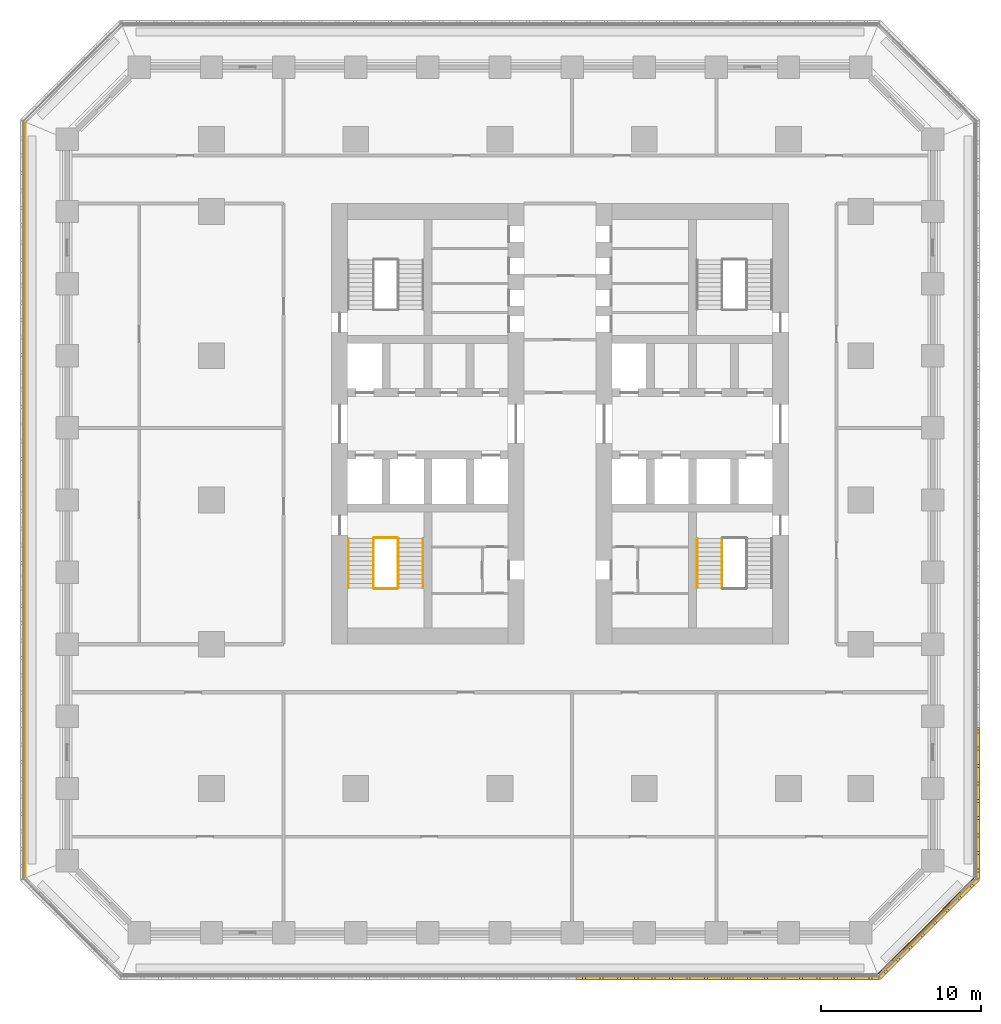
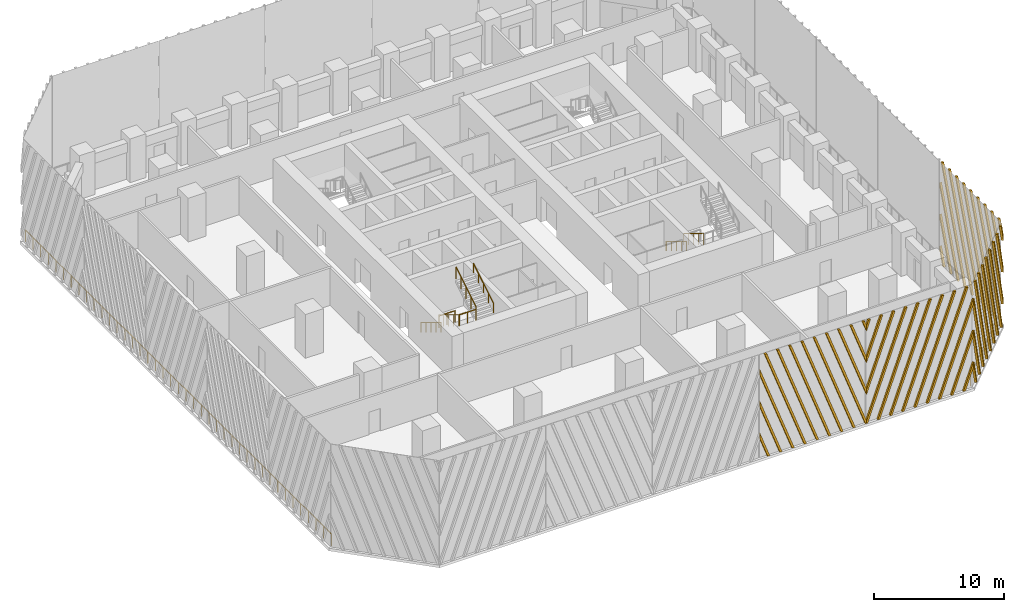
# One storey, part 8 of 12: 10 railings, 4 shading devices.
"""IFC4 building model written with IfcOpenShell, lengths in metres."""

from ifc_helpers import new_model, si_unit, direction, frame, origin, origin_2d, place, context, subcontext, project, spatial, polyline, circle, outline, extrude, source, transform, mapped, material, type_object, element, save


model = new_model("IFC4")

# Units and contexts
model_context = context("Model", 3, precision=1e-05, world=origin(), true_north=direction((0.0, 1.0)))
body_context = subcontext(model_context, "Body", "Model", "MODEL_VIEW")
ifc_project = project(units=[si_unit("LENGTHUNIT", "METRE"), si_unit("AREAUNIT", "SQUARE_METRE"), si_unit("VOLUMEUNIT", "CUBIC_METRE"), si_unit("PLANEANGLEUNIT", "RADIAN"), si_unit("MASSUNIT", "GRAM", prefix="KILO")], contexts=[model_context])

# Site, building, storey
site_placement = place(None, origin())
site = spatial("IfcSite", under=ifc_project, at=site_placement, CompositionType="ELEMENT")
building_placement = place(site_placement, origin())
building = spatial("IfcBuilding", under=site, at=building_placement, Name="Corbel Stack Research Tower", CompositionType="ELEMENT")
storey_placement = place(building_placement, frame((0.0, 0.0, 31.800048828125)))
storey = spatial("IfcBuildingStorey", under=building, at=storey_placement, Name="L07", CompositionType="ELEMENT", Elevation=31.800048828125)

# Railings
ifc_material_1 = material(Name="Steel S355", Category="steel")
railing_type_1 = type_object("IfcRailingType", Name="Stair guard 1100", PredefinedType="GUARDRAIL", material=ifc_material_1)
railing_1_placement = place(storey_placement, frame((-7.89990234375, -2.39990234375, 0.1708984375)))
element("IfcRailing", 1, at=railing_1_placement, inside=storey, type_object=railing_type_1, Name="L07 ST-W1 stair guard 1", PredefinedType="GUARDRAIL", context=body_context, shape_type="SweptSolid", body=[
    extrude(circle(Radius=0.02392578125, at=origin_2d()), frame((0.0, 0.0, 1.076171875), z_axis=(0.0, -0.853666305674, 0.52082035152), x_axis=(1.0, 0.0, 0.0)), (0.0, 0.0, 1.0), 3.608154296875),
    extrude(circle(Radius=0.02099609375, at=origin_2d()), origin(), (0.0, 0.0, 1.0), 1.052001953125),
    extrude(circle(Radius=0.02099609375, at=origin_2d()), frame((0.0, -0.77001953125, 0.4697265625)), (0.0, 0.0, 1.0), 1.052001953125),
    extrude(circle(Radius=0.02099609375, at=origin_2d()), frame((0.0, -1.5400390625, 0.939453125)), (0.0, 0.0, 1.0), 1.052001953125),
    extrude(circle(Radius=0.02099609375, at=origin_2d()), frame((0.0, -2.31005859375, 1.409423828125)), (0.0, 0.0, 1.0), 1.052001953125),
    extrude(circle(Radius=0.02099609375, at=origin_2d()), frame((0.0, -3.080078125, 1.879150390625)), (0.0, 0.0, 1.0), 1.052001953125),
])
railing_2_placement = place(storey_placement, frame((-7.85009765625, -5.530029296875, 2.050048828125)))
element("IfcRailing", 2, at=railing_2_placement, inside=storey, type_object=railing_type_1, Name="L07 ST-W1 stair guard 2", PredefinedType="GUARDRAIL", context=body_context, shape_type="SweptSolid", body=[
    extrude(circle(Radius=0.02392578125, at=origin_2d()), frame((0.0, 0.0, 1.076171875), z_axis=(1.0, 0.0, 0.0), x_axis=(0.0, 1.0, 0.0)), (0.0, 0.0, 1.0), 1.4501953125),
    extrude(circle(Radius=0.02099609375, at=origin_2d()), origin(), (0.0, 0.0, 1.0), 1.052001953125),
    extrude(circle(Radius=0.02099609375, at=origin_2d()), frame((0.72509765625, 0.0, 0.0)), (0.0, 0.0, 1.0), 1.052001953125),
    extrude(circle(Radius=0.02099609375, at=origin_2d()), frame((1.4501953125, 0.0, 0.0)), (0.0, 0.0, 1.0), 1.052001953125),
])
railing_3_placement = place(storey_placement, frame((-6.35009765625, -5.47998046875, 2.220703125)))
element("IfcRailing", 3, at=railing_3_placement, inside=storey, type_object=railing_type_1, Name="L07 ST-W1 stair guard 3", PredefinedType="GUARDRAIL", context=body_context, shape_type="SweptSolid", body=[
    extrude(circle(Radius=0.02392578125, at=origin_2d()), frame((0.0, 0.0, 1.076171875), z_axis=(0.0, 0.853666305674, 0.52082035152), x_axis=(-1.0, 0.0, 0.0)), (0.0, 0.0, 1.0), 3.608154296875),
    extrude(circle(Radius=0.02099609375, at=origin_2d()), origin(), (0.0, 0.0, 1.0), 1.052001953125),
    extrude(circle(Radius=0.02099609375, at=origin_2d()), frame((0.0, 0.77001953125, 0.4697265625)), (0.0, 0.0, 1.0), 1.052001953125),
    extrude(circle(Radius=0.02099609375, at=origin_2d()), frame((0.0, 1.5400390625, 0.939453125)), (0.0, 0.0, 1.0), 1.052001953125),
    extrude(circle(Radius=0.02099609375, at=origin_2d()), frame((0.0, 2.31005859375, 1.409423828125)), (0.0, 0.0, 1.0), 1.052001953125),
    extrude(circle(Radius=0.02099609375, at=origin_2d()), frame((0.0, 3.080078125, 1.879150390625)), (0.0, 0.0, 1.0), 1.052001953125),
])
railing_4_placement = place(storey_placement, frame((-7.85009765625, -2.35009765625, 0.0)))
element("IfcRailing", 4, at=railing_4_placement, inside=storey, type_object=railing_type_1, Name="L07 ST-W1 stair guard 4", PredefinedType="GUARDRAIL", context=body_context, shape_type="SweptSolid", body=[
    extrude(circle(Radius=0.02392578125, at=origin_2d()), frame((0.0, 0.0, 1.076171875), z_axis=(1.0, 0.0, 0.0), x_axis=(0.0, 1.0, 0.0)), (0.0, 0.0, 1.0), 1.4501953125),
    extrude(circle(Radius=0.02099609375, at=origin_2d()), origin(), (0.0, 0.0, 1.0), 1.052001953125),
    extrude(circle(Radius=0.02099609375, at=origin_2d()), frame((0.72509765625, 0.0, 0.0)), (0.0, 0.0, 1.0), 1.052001953125),
    extrude(circle(Radius=0.02099609375, at=origin_2d()), frame((1.4501953125, 0.0, 0.0)), (0.0, 0.0, 1.0), 1.052001953125),
])
railing_5_placement = place(storey_placement, frame((13.85009765625, -2.39990234375, 0.1708984375)))
element("IfcRailing", 5, at=railing_5_placement, inside=storey, type_object=railing_type_1, Name="L07 ST-E1 stair guard 1", PredefinedType="GUARDRAIL", context=body_context, shape_type="SweptSolid", body=[
    extrude(circle(Radius=0.02392578125, at=origin_2d()), frame((0.0, 0.0, 1.076171875), z_axis=(0.0, -0.853666305674, 0.52082035152), x_axis=(1.0, 0.0, 0.0)), (0.0, 0.0, 1.0), 3.608154296875),
    extrude(circle(Radius=0.02099609375, at=origin_2d()), origin(), (0.0, 0.0, 1.0), 1.052001953125),
    extrude(circle(Radius=0.02099609375, at=origin_2d()), frame((0.0, -0.77001953125, 0.4697265625)), (0.0, 0.0, 1.0), 1.052001953125),
    extrude(circle(Radius=0.02099609375, at=origin_2d()), frame((0.0, -1.5400390625, 0.939453125)), (0.0, 0.0, 1.0), 1.052001953125),
    extrude(circle(Radius=0.02099609375, at=origin_2d()), frame((0.0, -2.31005859375, 1.409423828125)), (0.0, 0.0, 1.0), 1.052001953125),
    extrude(circle(Radius=0.02099609375, at=origin_2d()), frame((0.0, -3.080078125, 1.879150390625)), (0.0, 0.0, 1.0), 1.052001953125),
])
ifc_material_2 = material(Name="Steel S355", Category="steel")
railing_type_2 = type_object("IfcRailingType", Name="Stair handrail 900", PredefinedType="HANDRAIL", material=ifc_material_2)
railing_6_placement = place(storey_placement, frame((-9.449951171875, -2.39990234375, 0.1708984375)))
element("IfcRailing", 6, at=railing_6_placement, inside=storey, type_object=railing_type_2, Name="L07 ST-W1 stair handrail 1", PredefinedType="HANDRAIL", context=body_context, shape_type="SweptSolid", body=[
    extrude(circle(Radius=0.02392578125, at=origin_2d()), frame((0.0, 0.0, 0.8759765625), z_axis=(0.0, -0.853666305674, 0.52082035152), x_axis=(1.0, 0.0, 0.0)), (0.0, 0.0, 1.0), 3.608154296875),
    extrude(circle(Radius=0.02099609375, at=origin_2d()), origin(), (0.0, 0.0, 1.0), 0.851806640625),
    extrude(circle(Radius=0.02099609375, at=origin_2d()), frame((0.0, -0.77001953125, 0.4697265625)), (0.0, 0.0, 1.0), 0.851806640625),
    extrude(circle(Radius=0.02099609375, at=origin_2d()), frame((0.0, -1.5400390625, 0.939453125)), (0.0, 0.0, 1.0), 0.851806640625),
    extrude(circle(Radius=0.02099609375, at=origin_2d()), frame((0.0, -2.31005859375, 1.409423828125)), (0.0, 0.0, 1.0), 0.851806640625),
    extrude(circle(Radius=0.02099609375, at=origin_2d()), frame((0.0, -3.080078125, 1.879150390625)), (0.0, 0.0, 1.0), 0.851806640625),
])
railing_7_placement = place(storey_placement, frame((-4.800048828125, -5.47998046875, 2.220703125)))
element("IfcRailing", 7, at=railing_7_placement, inside=storey, type_object=railing_type_2, Name="L07 ST-W1 stair handrail 2", PredefinedType="HANDRAIL", context=body_context, shape_type="SweptSolid", body=[
    extrude(circle(Radius=0.02392578125, at=origin_2d()), frame((0.0, 0.0, 0.8759765625), z_axis=(0.0, 0.853666305674, 0.52082035152), x_axis=(-1.0, 0.0, 0.0)), (0.0, 0.0, 1.0), 3.608154296875),
    extrude(circle(Radius=0.02099609375, at=origin_2d()), origin(), (0.0, 0.0, 1.0), 0.851806640625),
    extrude(circle(Radius=0.02099609375, at=origin_2d()), frame((0.0, 0.77001953125, 0.4697265625)), (0.0, 0.0, 1.0), 0.851806640625),
    extrude(circle(Radius=0.02099609375, at=origin_2d()), frame((0.0, 1.5400390625, 0.939453125)), (0.0, 0.0, 1.0), 0.851806640625),
    extrude(circle(Radius=0.02099609375, at=origin_2d()), frame((0.0, 2.31005859375, 1.409423828125)), (0.0, 0.0, 1.0), 0.851806640625),
    extrude(circle(Radius=0.02099609375, at=origin_2d()), frame((0.0, 3.080078125, 1.879150390625)), (0.0, 0.0, 1.0), 0.851806640625),
])
railing_8_placement = place(storey_placement, frame((12.300048828125, -2.39990234375, 0.1708984375)))
element("IfcRailing", 8, at=railing_8_placement, inside=storey, type_object=railing_type_2, Name="L07 ST-E1 stair handrail 1", PredefinedType="HANDRAIL", context=body_context, shape_type="SweptSolid", body=[
    extrude(circle(Radius=0.02392578125, at=origin_2d()), frame((0.0, 0.0, 0.8759765625), z_axis=(0.0, -0.853666305674, 0.52082035152), x_axis=(1.0, 0.0, 0.0)), (0.0, 0.0, 1.0), 3.608154296875),
    extrude(circle(Radius=0.02099609375, at=origin_2d()), origin(), (0.0, 0.0, 1.0), 0.851806640625),
    extrude(circle(Radius=0.02099609375, at=origin_2d()), frame((0.0, -0.77001953125, 0.4697265625)), (0.0, 0.0, 1.0), 0.851806640625),
    extrude(circle(Radius=0.02099609375, at=origin_2d()), frame((0.0, -1.5400390625, 0.939453125)), (0.0, 0.0, 1.0), 0.851806640625),
    extrude(circle(Radius=0.02099609375, at=origin_2d()), frame((0.0, -2.31005859375, 1.409423828125)), (0.0, 0.0, 1.0), 0.851806640625),
    extrude(circle(Radius=0.02099609375, at=origin_2d()), frame((0.0, -3.080078125, 1.879150390625)), (0.0, 0.0, 1.0), 0.851806640625),
])
ifc_material_3 = material(Name="Powder-coated steel guard", Category="steel")
railing_type_3 = type_object("IfcRailingType", Name="Steel and glass guard 1100", PredefinedType="GUARDRAIL", material=ifc_material_3)
railing_9_placement = place(storey_placement, frame((23.627685546875, -29.54931640625, 0.0)))
element("IfcRailing", 9, at=railing_9_placement, inside=storey, type_object=railing_type_3, Name="Loggia guard L07 SE", PredefinedType="GUARDRAIL", context=body_context, shape_type="SweptSolid", body=[
    extrude(circle(Radius=0.02392578125, at=origin_2d()), frame((0.0, 0.0, 1.076171875), z_axis=(0.707106781187, 0.707106781187, 0.0), x_axis=(-0.707106781187, 0.707106781187, 0.0)), (0.0, 0.0, 1.0), 8.37451171875),
    extrude(circle(Radius=0.02099609375, at=origin_2d()), origin(), (0.0, 0.0, 1.0), 1.052001953125),
    extrude(circle(Radius=0.02099609375, at=origin_2d()), frame((0.845947265625, 0.845947265625, 0.0)), (0.0, 0.0, 1.0), 1.052001953125),
    extrude(circle(Radius=0.02099609375, at=origin_2d()), frame((1.69189453125, 1.69189453125, 0.0)), (0.0, 0.0, 1.0), 1.052001953125),
    extrude(circle(Radius=0.02099609375, at=origin_2d()), frame((2.537841796875, 2.537841796875, 0.0)), (0.0, 0.0, 1.0), 1.052001953125),
    extrude(circle(Radius=0.02099609375, at=origin_2d()), frame((3.3837890625, 3.3837890625, 0.0)), (0.0, 0.0, 1.0), 1.052001953125),
    extrude(circle(Radius=0.02099609375, at=origin_2d()), frame((4.229736328125, 4.229736328125, 0.0)), (0.0, 0.0, 1.0), 1.052001953125),
    extrude(circle(Radius=0.02099609375, at=origin_2d()), frame((5.07568359375, 5.07568359375, 0.0)), (0.0, 0.0, 1.0), 1.052001953125),
    extrude(circle(Radius=0.02099609375, at=origin_2d()), frame((5.921630859375, 5.921630859375, 0.0)), (0.0, 0.0, 1.0), 1.052001953125),
])
railing_10_placement = place(storey_placement, frame((-29.60009765625, 23.50537109375, 0.0)))
element("IfcRailing", 10, at=railing_10_placement, inside=storey, type_object=railing_type_3, Name="Loggia guard L07 W", PredefinedType="GUARDRAIL", context=body_context, shape_type="SweptSolid", body=[
    extrude(circle(Radius=0.02392578125, at=origin_2d()), frame((0.0, 0.0, 1.076171875), z_axis=(0.0, -1.0, 0.0), x_axis=(1.0, 0.0, 0.0)), (0.0, 0.0, 1.0), 47.0107421875),
    extrude(circle(Radius=0.02099609375, at=origin_2d()), origin(), (0.0, 0.0, 1.0), 1.052001953125),
    extrude(circle(Radius=0.02099609375, at=origin_2d()), frame((0.0, -1.17529296875, 0.0)), (0.0, 0.0, 1.0), 1.052001953125),
    extrude(circle(Radius=0.02099609375, at=origin_2d()), frame((0.0, -2.3505859375, 0.0)), (0.0, 0.0, 1.0), 1.052001953125),
    extrude(circle(Radius=0.02099609375, at=origin_2d()), frame((0.0, -3.52587890625, 0.0)), (0.0, 0.0, 1.0), 1.052001953125),
    extrude(circle(Radius=0.02099609375, at=origin_2d()), frame((0.0, -4.701171875, 0.0)), (0.0, 0.0, 1.0), 1.052001953125),
    extrude(circle(Radius=0.02099609375, at=origin_2d()), frame((0.0, -5.87646484375, 0.0)), (0.0, 0.0, 1.0), 1.052001953125),
    extrude(circle(Radius=0.02099609375, at=origin_2d()), frame((0.0, -7.051513671875, 0.0)), (0.0, 0.0, 1.0), 1.052001953125),
    extrude(circle(Radius=0.02099609375, at=origin_2d()), frame((0.0, -8.226806640625, 0.0)), (0.0, 0.0, 1.0), 1.052001953125),
    extrude(circle(Radius=0.02099609375, at=origin_2d()), frame((0.0, -9.402099609375, 0.0)), (0.0, 0.0, 1.0), 1.052001953125),
    extrude(circle(Radius=0.02099609375, at=origin_2d()), frame((0.0, -10.577392578125, 0.0)), (0.0, 0.0, 1.0), 1.052001953125),
    extrude(circle(Radius=0.02099609375, at=origin_2d()), frame((0.0, -11.752685546875, 0.0)), (0.0, 0.0, 1.0), 1.052001953125),
    extrude(circle(Radius=0.02099609375, at=origin_2d()), frame((0.0, -12.927978515625, 0.0)), (0.0, 0.0, 1.0), 1.052001953125),
    extrude(circle(Radius=0.02099609375, at=origin_2d()), frame((0.0, -14.103271484375, 0.0)), (0.0, 0.0, 1.0), 1.052001953125),
    extrude(circle(Radius=0.02099609375, at=origin_2d()), frame((0.0, -15.278564453125, 0.0)), (0.0, 0.0, 1.0), 1.052001953125),
    extrude(circle(Radius=0.02099609375, at=origin_2d()), frame((0.0, -16.453857421875, 0.0)), (0.0, 0.0, 1.0), 1.052001953125),
    extrude(circle(Radius=0.02099609375, at=origin_2d()), frame((0.0, -17.62890625, 0.0)), (0.0, 0.0, 1.0), 1.052001953125),
    extrude(circle(Radius=0.02099609375, at=origin_2d()), frame((0.0, -18.80419921875, 0.0)), (0.0, 0.0, 1.0), 1.052001953125),
    extrude(circle(Radius=0.02099609375, at=origin_2d()), frame((0.0, -19.9794921875, 0.0)), (0.0, 0.0, 1.0), 1.052001953125),
    extrude(circle(Radius=0.02099609375, at=origin_2d()), frame((0.0, -21.15478515625, 0.0)), (0.0, 0.0, 1.0), 1.052001953125),
    extrude(circle(Radius=0.02099609375, at=origin_2d()), frame((0.0, -22.330078125, 0.0)), (0.0, 0.0, 1.0), 1.052001953125),
    extrude(circle(Radius=0.02099609375, at=origin_2d()), frame((0.0, -23.50537109375, 0.0)), (0.0, 0.0, 1.0), 1.052001953125),
    extrude(circle(Radius=0.02099609375, at=origin_2d()), frame((0.0, -24.6806640625, 0.0)), (0.0, 0.0, 1.0), 1.052001953125),
    extrude(circle(Radius=0.02099609375, at=origin_2d()), frame((0.0, -25.85595703125, 0.0)), (0.0, 0.0, 1.0), 1.052001953125),
    extrude(circle(Radius=0.02099609375, at=origin_2d()), frame((0.0, -27.03125, 0.0)), (0.0, 0.0, 1.0), 1.052001953125),
    extrude(circle(Radius=0.02099609375, at=origin_2d()), frame((0.0, -28.20654296875, 0.0)), (0.0, 0.0, 1.0), 1.052001953125),
    extrude(circle(Radius=0.02099609375, at=origin_2d()), frame((0.0, -29.3818359375, 0.0)), (0.0, 0.0, 1.0), 1.052001953125),
    extrude(circle(Radius=0.02099609375, at=origin_2d()), frame((0.0, -30.556884765625, 0.0)), (0.0, 0.0, 1.0), 1.052001953125),
    extrude(circle(Radius=0.02099609375, at=origin_2d()), frame((0.0, -31.732177734375, 0.0)), (0.0, 0.0, 1.0), 1.052001953125),
    extrude(circle(Radius=0.02099609375, at=origin_2d()), frame((0.0, -32.907470703125, 0.0)), (0.0, 0.0, 1.0), 1.052001953125),
    extrude(circle(Radius=0.02099609375, at=origin_2d()), frame((0.0, -34.082763671875, 0.0)), (0.0, 0.0, 1.0), 1.052001953125),
    extrude(circle(Radius=0.02099609375, at=origin_2d()), frame((0.0, -35.258056640625, 0.0)), (0.0, 0.0, 1.0), 1.052001953125),
    extrude(circle(Radius=0.02099609375, at=origin_2d()), frame((0.0, -36.433349609375, 0.0)), (0.0, 0.0, 1.0), 1.052001953125),
    extrude(circle(Radius=0.02099609375, at=origin_2d()), frame((0.0, -37.608642578125, 0.0)), (0.0, 0.0, 1.0), 1.052001953125),
    extrude(circle(Radius=0.02099609375, at=origin_2d()), frame((0.0, -38.783935546875, 0.0)), (0.0, 0.0, 1.0), 1.052001953125),
    extrude(circle(Radius=0.02099609375, at=origin_2d()), frame((0.0, -39.959228515625, 0.0)), (0.0, 0.0, 1.0), 1.052001953125),
    extrude(circle(Radius=0.02099609375, at=origin_2d()), frame((0.0, -41.13427734375, 0.0)), (0.0, 0.0, 1.0), 1.052001953125),
    extrude(circle(Radius=0.02099609375, at=origin_2d()), frame((0.0, -42.3095703125, 0.0)), (0.0, 0.0, 1.0), 1.052001953125),
    extrude(circle(Radius=0.02099609375, at=origin_2d()), frame((0.0, -43.48486328125, 0.0)), (0.0, 0.0, 1.0), 1.052001953125),
    extrude(circle(Radius=0.02099609375, at=origin_2d()), frame((0.0, -44.66015625, 0.0)), (0.0, 0.0, 1.0), 1.052001953125),
    extrude(circle(Radius=0.02099609375, at=origin_2d()), frame((0.0, -45.83544921875, 0.0)), (0.0, 0.0, 1.0), 1.052001953125),
    extrude(circle(Radius=0.02099609375, at=origin_2d()), frame((0.0, -47.0107421875, 0.0)), (0.0, 0.0, 1.0), 1.052001953125),
])

# Shading devices
ifc_material_4 = material(Name="Precast terracotta", Category="masonry")
shading_device_type = type_object("IfcShadingDeviceType", Name="Terracotta screen panel", PredefinedType="USERDEFINED", material=ifc_material_4)
shared_shape_1 = source(origin(), body_context, "Body", "SweptSolid", [
    extrude(outline(polyline([(0.353271484375, 9.64990234375), (0.163330078125, 9.64990234375), (0.0, 9.201416015625), (0.0, 8.67919921875), (0.353271484375, 9.64990234375)])), frame((0.0, 0.0, 0.0), z_axis=(0.0, -1.0, 0.0), x_axis=(1.0, 0.0, 0.0)), (0.0, 0.0, 1.0), 0.179931640625),
    extrude(outline(polyline([(1.43798828125, 9.64990234375), (1.248046875, 9.64990234375), (0.0, 6.22119140625), (0.0, 5.69921875), (1.43798828125, 9.64990234375)])), frame((0.0, 0.0, 0.0), z_axis=(0.0, -1.0, 0.0), x_axis=(1.0, 0.0, 0.0)), (0.0, 0.0, 1.0), 0.179931640625),
    extrude(outline(polyline([(2.522705078125, 9.64990234375), (2.33251953125, 9.64990234375), (0.0, 3.2412109375), (0.0, 2.718994140625), (2.522705078125, 9.64990234375)])), frame((0.0, 0.0, 0.0), z_axis=(0.0, -1.0, 0.0), x_axis=(1.0, 0.0, 0.0)), (0.0, 0.0, 1.0), 0.179931640625),
    extrude(outline(polyline([(0.094970703125, 0.0), (3.607421875, 9.64990234375), (3.417236328125, 9.64990234375), (0.0, 0.260986328125), (0.0, 0.0), (0.094970703125, 0.0)])), frame((0.0, 0.0, 0.0), z_axis=(0.0, -1.0, 0.0), x_axis=(1.0, 0.0, 0.0)), (0.0, 0.0, 1.0), 0.179931640625),
    extrude(outline(polyline([(1.1796875, 0.0), (4.69189453125, 9.64990234375), (4.501953125, 9.64990234375), (0.98974609375, 0.0), (1.1796875, 0.0)])), frame((0.0, 0.0, 0.0), z_axis=(0.0, -1.0, 0.0), x_axis=(1.0, 0.0, 0.0)), (0.0, 0.0, 1.0), 0.179931640625),
    extrude(outline(polyline([(2.264404296875, 0.0), (5.776611328125, 9.64990234375), (5.586669921875, 9.64990234375), (2.07421875, 0.0), (2.264404296875, 0.0)])), frame((0.0, 0.0, 0.0), z_axis=(0.0, -1.0, 0.0), x_axis=(1.0, 0.0, 0.0)), (0.0, 0.0, 1.0), 0.179931640625),
    extrude(outline(polyline([(3.34912109375, 0.0), (6.861328125, 9.64990234375), (6.67138671875, 9.64990234375), (3.158935546875, 0.0), (3.34912109375, 0.0)])), frame((0.0, 0.0, 0.0), z_axis=(0.0, -1.0, 0.0), x_axis=(1.0, 0.0, 0.0)), (0.0, 0.0, 1.0), 0.179931640625),
    extrude(outline(polyline([(4.43359375, 0.0), (7.946044921875, 9.64990234375), (7.756103515625, 9.64990234375), (4.24365234375, 0.0), (4.43359375, 0.0)])), frame((0.0, 0.0, 0.0), z_axis=(0.0, -1.0, 0.0), x_axis=(1.0, 0.0, 0.0)), (0.0, 0.0, 1.0), 0.179931640625),
    extrude(outline(polyline([(5.518310546875, 0.0), (9.030517578125, 9.64990234375), (8.840576171875, 9.64990234375), (5.328369140625, 0.0), (5.518310546875, 0.0)])), frame((0.0, 0.0, 0.0), z_axis=(0.0, -1.0, 0.0), x_axis=(1.0, 0.0, 0.0)), (0.0, 0.0, 1.0), 0.179931640625),
    extrude(outline(polyline([(6.60302734375, 0.0), (9.45556640625, 7.837646484375), (9.45556640625, 8.359619140625), (6.4130859375, 0.0), (6.60302734375, 0.0)])), frame((0.0, 0.0, 0.0), z_axis=(0.0, -1.0, 0.0), x_axis=(1.0, 0.0, 0.0)), (0.0, 0.0, 1.0), 0.179931640625),
    extrude(outline(polyline([(7.687744140625, 0.0), (9.45556640625, 4.857421875), (9.45556640625, 5.37939453125), (7.497802734375, 0.0), (7.687744140625, 0.0)])), frame((0.0, 0.0, 0.0), z_axis=(0.0, -1.0, 0.0), x_axis=(1.0, 0.0, 0.0)), (0.0, 0.0, 1.0), 0.179931640625),
    extrude(outline(polyline([(8.772216796875, 0.0), (9.45556640625, 1.87744140625), (9.45556640625, 2.3994140625), (8.582275390625, 0.0), (8.772216796875, 0.0)])), frame((0.0, 0.0, 0.0), z_axis=(0.0, -1.0, 0.0), x_axis=(1.0, 0.0, 0.0)), (0.0, 0.0, 1.0), 0.179931640625),
])
shading_device_1_placement = place(storey_placement, frame((14.18359375, -29.75, 0.0), z_axis=(0.0, 0.0, 1.0), x_axis=(1.0, 0.0, 0.0)))
element("IfcShadingDevice", 11, at=shading_device_1_placement, inside=storey, type_object=shading_device_type, Name="Terracotta screen L07 S5", ObjectType="SCREEN", PredefinedType="USERDEFINED", context=body_context, shape_type="MappedRepresentation", body=[
    mapped(shared_shape_1, transform((0.0, 0.0, 0.0))),
])
shared_shape_2 = source(origin(), body_context, "Body", "SweptSolid", [
    extrude(outline(polyline([(0.873291015625, 0.0), (0.0, 2.3994140625), (0.0, 1.87744140625), (0.683349609375, 0.0), (0.873291015625, 0.0)])), frame((0.0, 0.0, 0.0), z_axis=(0.0, -1.0, 0.0), x_axis=(1.0, 0.0, 0.0)), (0.0, 0.0, 1.0), 0.179931640625),
    extrude(outline(polyline([(1.9580078125, 0.0), (0.0, 5.37939453125), (0.0, 4.857421875), (1.76806640625, 0.0), (1.9580078125, 0.0)])), frame((0.0, 0.0, 0.0), z_axis=(0.0, -1.0, 0.0), x_axis=(1.0, 0.0, 0.0)), (0.0, 0.0, 1.0), 0.179931640625),
    extrude(outline(polyline([(3.04248046875, 0.0), (0.0, 8.359619140625), (0.0, 7.837646484375), (2.8525390625, 0.0), (3.04248046875, 0.0)])), frame((0.0, 0.0, 0.0), z_axis=(0.0, -1.0, 0.0), x_axis=(1.0, 0.0, 0.0)), (0.0, 0.0, 1.0), 0.179931640625),
    extrude(outline(polyline([(4.127197265625, 0.0), (0.614990234375, 9.64990234375), (0.425048828125, 9.64990234375), (3.937255859375, 0.0), (4.127197265625, 0.0)])), frame((0.0, 0.0, 0.0), z_axis=(0.0, -1.0, 0.0), x_axis=(1.0, 0.0, 0.0)), (0.0, 0.0, 1.0), 0.179931640625),
    extrude(outline(polyline([(5.2119140625, 0.0), (1.69970703125, 9.64990234375), (1.509765625, 9.64990234375), (5.02197265625, 0.0), (5.2119140625, 0.0)])), frame((0.0, 0.0, 0.0), z_axis=(0.0, -1.0, 0.0), x_axis=(1.0, 0.0, 0.0)), (0.0, 0.0, 1.0), 0.179931640625),
    extrude(outline(polyline([(6.296630859375, 0.0), (2.7841796875, 9.64990234375), (2.59423828125, 9.64990234375), (6.106689453125, 0.0), (6.296630859375, 0.0)])), frame((0.0, 0.0, 0.0), z_axis=(0.0, -1.0, 0.0), x_axis=(1.0, 0.0, 0.0)), (0.0, 0.0, 1.0), 0.179931640625),
    extrude(outline(polyline([(7.38134765625, 0.0), (3.868896484375, 9.64990234375), (3.678955078125, 9.64990234375), (7.19140625, 0.0), (7.38134765625, 0.0)])), frame((0.0, 0.0, 0.0), z_axis=(0.0, -1.0, 0.0), x_axis=(1.0, 0.0, 0.0)), (0.0, 0.0, 1.0), 0.179931640625),
    extrude(outline(polyline([(8.466064453125, 0.0), (4.95361328125, 9.64990234375), (4.763671875, 9.64990234375), (8.27587890625, 0.0), (8.466064453125, 0.0)])), frame((0.0, 0.0, 0.0), z_axis=(0.0, -1.0, 0.0), x_axis=(1.0, 0.0, 0.0)), (0.0, 0.0, 1.0), 0.179931640625),
    extrude(outline(polyline([(9.45556640625, 0.0), (9.45556640625, 0.260986328125), (6.038330078125, 9.64990234375), (5.848388671875, 9.64990234375), (9.360595703125, 0.0), (9.45556640625, 0.0)])), frame((0.0, 0.0, 0.0), z_axis=(0.0, -1.0, 0.0), x_axis=(1.0, 0.0, 0.0)), (0.0, 0.0, 1.0), 0.179931640625),
    extrude(outline(polyline([(7.123046875, 9.64990234375), (6.93310546875, 9.64990234375), (9.45556640625, 2.718994140625), (9.45556640625, 3.2412109375), (7.123046875, 9.64990234375)])), frame((0.0, 0.0, 0.0), z_axis=(0.0, -1.0, 0.0), x_axis=(1.0, 0.0, 0.0)), (0.0, 0.0, 1.0), 0.179931640625),
    extrude(outline(polyline([(8.207763671875, 9.64990234375), (8.017578125, 9.64990234375), (9.45556640625, 5.69921875), (9.45556640625, 6.22119140625), (8.207763671875, 9.64990234375)])), frame((0.0, 0.0, 0.0), z_axis=(0.0, -1.0, 0.0), x_axis=(1.0, 0.0, 0.0)), (0.0, 0.0, 1.0), 0.179931640625),
    extrude(outline(polyline([(9.292236328125, 9.64990234375), (9.102294921875, 9.64990234375), (9.45556640625, 8.67919921875), (9.45556640625, 9.201416015625), (9.292236328125, 9.64990234375)])), frame((0.0, 0.0, 0.0), z_axis=(0.0, -1.0, 0.0), x_axis=(1.0, 0.0, 0.0)), (0.0, 0.0, 1.0), 0.179931640625),
])
shading_device_2_placement = place(storey_placement, frame((4.727783203125, -29.75, 0.0), z_axis=(0.0, 0.0, 1.0), x_axis=(1.0, 0.0, 0.0)))
element("IfcShadingDevice", 12, at=shading_device_2_placement, inside=storey, type_object=shading_device_type, Name="Terracotta screen L07 S4", ObjectType="SCREEN", PredefinedType="USERDEFINED", context=body_context, shape_type="MappedRepresentation", body=[
    mapped(shared_shape_2, transform((0.0, 0.0, 0.0))),
])
shared_shape_3 = source(origin(), body_context, "Body", "SweptSolid", [
    extrude(outline(polyline([(0.873291015625, 0.0), (0.0, 2.3994140625), (0.0, 1.87744140625), (0.683349609375, 0.0), (0.873291015625, 0.0)])), frame((0.0, 0.0, 0.0), z_axis=(0.0, -1.0, 0.0), x_axis=(1.0, 0.0, 0.0)), (0.0, 0.0, 1.0), 0.179931640625),
    extrude(outline(polyline([(1.9580078125, 0.0), (0.0, 5.37939453125), (0.0, 4.857421875), (1.76806640625, 0.0), (1.9580078125, 0.0)])), frame((0.0, 0.0, 0.0), z_axis=(0.0, -1.0, 0.0), x_axis=(1.0, 0.0, 0.0)), (0.0, 0.0, 1.0), 0.179931640625),
    extrude(outline(polyline([(3.04248046875, 0.0), (0.0, 8.359619140625), (0.0, 7.837646484375), (2.8525390625, 0.0), (3.04248046875, 0.0)])), frame((0.0, 0.0, 0.0), z_axis=(0.0, -1.0, 0.0), x_axis=(1.0, 0.0, 0.0)), (0.0, 0.0, 1.0), 0.179931640625),
    extrude(outline(polyline([(4.127197265625, 0.0), (0.614990234375, 9.64990234375), (0.425048828125, 9.64990234375), (3.937255859375, 0.0), (4.127197265625, 0.0)])), frame((0.0, 0.0, 0.0), z_axis=(0.0, -1.0, 0.0), x_axis=(1.0, 0.0, 0.0)), (0.0, 0.0, 1.0), 0.179931640625),
    extrude(outline(polyline([(5.2119140625, 0.0), (1.69970703125, 9.64990234375), (1.509765625, 9.64990234375), (5.02197265625, 0.0), (5.2119140625, 0.0)])), frame((0.0, 0.0, 0.0), z_axis=(0.0, -1.0, 0.0), x_axis=(1.0, 0.0, 0.0)), (0.0, 0.0, 1.0), 0.179931640625),
    extrude(outline(polyline([(6.296630859375, 0.0), (2.7841796875, 9.64990234375), (2.59423828125, 9.64990234375), (6.106689453125, 0.0), (6.296630859375, 0.0)])), frame((0.0, 0.0, 0.0), z_axis=(0.0, -1.0, 0.0), x_axis=(1.0, 0.0, 0.0)), (0.0, 0.0, 1.0), 0.179931640625),
    extrude(outline(polyline([(7.38134765625, 0.0), (3.868896484375, 9.64990234375), (3.678955078125, 9.64990234375), (7.19140625, 0.0), (7.38134765625, 0.0)])), frame((0.0, 0.0, 0.0), z_axis=(0.0, -1.0, 0.0), x_axis=(1.0, 0.0, 0.0)), (0.0, 0.0, 1.0), 0.179931640625),
    extrude(outline(polyline([(8.466064453125, 0.0), (4.95361328125, 9.64990234375), (4.763671875, 9.64990234375), (8.27587890625, 0.0), (8.466064453125, 0.0)])), frame((0.0, 0.0, 0.0), z_axis=(0.0, -1.0, 0.0), x_axis=(1.0, 0.0, 0.0)), (0.0, 0.0, 1.0), 0.179931640625),
    extrude(outline(polyline([(6.038330078125, 9.64990234375), (5.848388671875, 9.64990234375), (8.64208984375, 1.97412109375), (8.64208984375, 2.49609375), (6.038330078125, 9.64990234375)])), frame((0.0, 0.0, 0.0), z_axis=(0.0, -1.0, 0.0), x_axis=(1.0, 0.0, 0.0)), (0.0, 0.0, 1.0), 0.179931640625),
    extrude(outline(polyline([(7.123046875, 9.64990234375), (6.93310546875, 9.64990234375), (8.64208984375, 4.9541015625), (8.64208984375, 5.476318359375), (7.123046875, 9.64990234375)])), frame((0.0, 0.0, 0.0), z_axis=(0.0, -1.0, 0.0), x_axis=(1.0, 0.0, 0.0)), (0.0, 0.0, 1.0), 0.179931640625),
    extrude(outline(polyline([(8.207763671875, 9.64990234375), (8.017578125, 9.64990234375), (8.64208984375, 7.93408203125), (8.64208984375, 8.456298828125), (8.207763671875, 9.64990234375)])), frame((0.0, 0.0, 0.0), z_axis=(0.0, -1.0, 0.0), x_axis=(1.0, 0.0, 0.0)), (0.0, 0.0, 1.0), 0.179931640625),
])
shading_device_3_placement = place(storey_placement, frame((23.63916015625, -29.75, 0.0), z_axis=(0.0, 0.0, 1.0), x_axis=(0.707106781187, 0.707106781187, 0.0)))
element("IfcShadingDevice", 13, at=shading_device_3_placement, inside=storey, type_object=shading_device_type, Name="Terracotta screen L07 SE1", ObjectType="SCREEN", PredefinedType="USERDEFINED", context=body_context, shape_type="MappedRepresentation", body=[
    mapped(shared_shape_3, transform((0.0, 0.0, 0.0))),
])
shared_shape_4 = source(origin(), body_context, "Body", "SweptSolid", [
    extrude(outline(polyline([(0.62451171875, 9.64990234375), (0.4345703125, 9.64990234375), (0.0, 8.456298828125), (0.0, 7.93408203125), (0.62451171875, 9.64990234375)])), frame((0.0, 0.0, 0.0), z_axis=(0.0, -1.0, 0.0), x_axis=(1.0, 0.0, 0.0)), (0.0, 0.0, 1.0), 0.179931640625),
    extrude(outline(polyline([(1.708984375, 9.64990234375), (1.51904296875, 9.64990234375), (0.0, 5.476318359375), (0.0, 4.9541015625), (1.708984375, 9.64990234375)])), frame((0.0, 0.0, 0.0), z_axis=(0.0, -1.0, 0.0), x_axis=(1.0, 0.0, 0.0)), (0.0, 0.0, 1.0), 0.179931640625),
    extrude(outline(polyline([(2.793701171875, 9.64990234375), (2.603759765625, 9.64990234375), (0.0, 2.49609375), (0.0, 1.97412109375), (2.793701171875, 9.64990234375)])), frame((0.0, 0.0, 0.0), z_axis=(0.0, -1.0, 0.0), x_axis=(1.0, 0.0, 0.0)), (0.0, 0.0, 1.0), 0.179931640625),
    extrude(outline(polyline([(0.3662109375, 0.0), (3.87841796875, 9.64990234375), (3.6884765625, 9.64990234375), (0.17626953125, 0.0), (0.3662109375, 0.0)])), frame((0.0, 0.0, 0.0), z_axis=(0.0, -1.0, 0.0), x_axis=(1.0, 0.0, 0.0)), (0.0, 0.0, 1.0), 0.179931640625),
    extrude(outline(polyline([(1.45068359375, 0.0), (4.963134765625, 9.64990234375), (4.773193359375, 9.64990234375), (1.2607421875, 0.0), (1.45068359375, 0.0)])), frame((0.0, 0.0, 0.0), z_axis=(0.0, -1.0, 0.0), x_axis=(1.0, 0.0, 0.0)), (0.0, 0.0, 1.0), 0.179931640625),
    extrude(outline(polyline([(2.535400390625, 0.0), (6.0478515625, 9.64990234375), (5.85791015625, 9.64990234375), (2.345458984375, 0.0), (2.535400390625, 0.0)])), frame((0.0, 0.0, 0.0), z_axis=(0.0, -1.0, 0.0), x_axis=(1.0, 0.0, 0.0)), (0.0, 0.0, 1.0), 0.179931640625),
    extrude(outline(polyline([(3.6201171875, 0.0), (7.132568359375, 9.64990234375), (6.9423828125, 9.64990234375), (3.43017578125, 0.0), (3.6201171875, 0.0)])), frame((0.0, 0.0, 0.0), z_axis=(0.0, -1.0, 0.0), x_axis=(1.0, 0.0, 0.0)), (0.0, 0.0, 1.0), 0.179931640625),
    extrude(outline(polyline([(4.704833984375, 0.0), (8.217041015625, 9.64990234375), (8.027099609375, 9.64990234375), (4.514892578125, 0.0), (4.704833984375, 0.0)])), frame((0.0, 0.0, 0.0), z_axis=(0.0, -1.0, 0.0), x_axis=(1.0, 0.0, 0.0)), (0.0, 0.0, 1.0), 0.179931640625),
    extrude(outline(polyline([(5.78955078125, 0.0), (9.3017578125, 9.64990234375), (9.11181640625, 9.64990234375), (5.599609375, 0.0), (5.78955078125, 0.0)])), frame((0.0, 0.0, 0.0), z_axis=(0.0, -1.0, 0.0), x_axis=(1.0, 0.0, 0.0)), (0.0, 0.0, 1.0), 0.179931640625),
    extrude(outline(polyline([(6.874267578125, 0.0), (9.45556640625, 7.092529296875), (9.45556640625, 7.614501953125), (6.68408203125, 0.0), (6.874267578125, 0.0)])), frame((0.0, 0.0, 0.0), z_axis=(0.0, -1.0, 0.0), x_axis=(1.0, 0.0, 0.0)), (0.0, 0.0, 1.0), 0.179931640625),
    extrude(outline(polyline([(7.958740234375, 0.0), (9.45556640625, 4.1123046875), (9.45556640625, 4.634521484375), (7.768798828125, 0.0), (7.958740234375, 0.0)])), frame((0.0, 0.0, 0.0), z_axis=(0.0, -1.0, 0.0), x_axis=(1.0, 0.0, 0.0)), (0.0, 0.0, 1.0), 0.179931640625),
    extrude(outline(polyline([(9.04345703125, 0.0), (9.45556640625, 1.13232421875), (9.45556640625, 1.654296875), (8.853515625, 0.0), (9.04345703125, 0.0)])), frame((0.0, 0.0, 0.0), z_axis=(0.0, -1.0, 0.0), x_axis=(1.0, 0.0, 0.0)), (0.0, 0.0, 1.0), 0.179931640625),
])
shading_device_4_placement = place(storey_placement, frame((29.75, -23.63916015625, 0.0), z_axis=(0.0, 0.0, 1.0), x_axis=(0.0, 1.0, 0.0)))
element("IfcShadingDevice", 14, at=shading_device_4_placement, inside=storey, type_object=shading_device_type, Name="Terracotta screen L07 E1", ObjectType="SCREEN", PredefinedType="USERDEFINED", context=body_context, shape_type="MappedRepresentation", body=[
    mapped(shared_shape_4, transform((0.0, 0.0, 0.0))),
])

save(model, "model.ifc")
